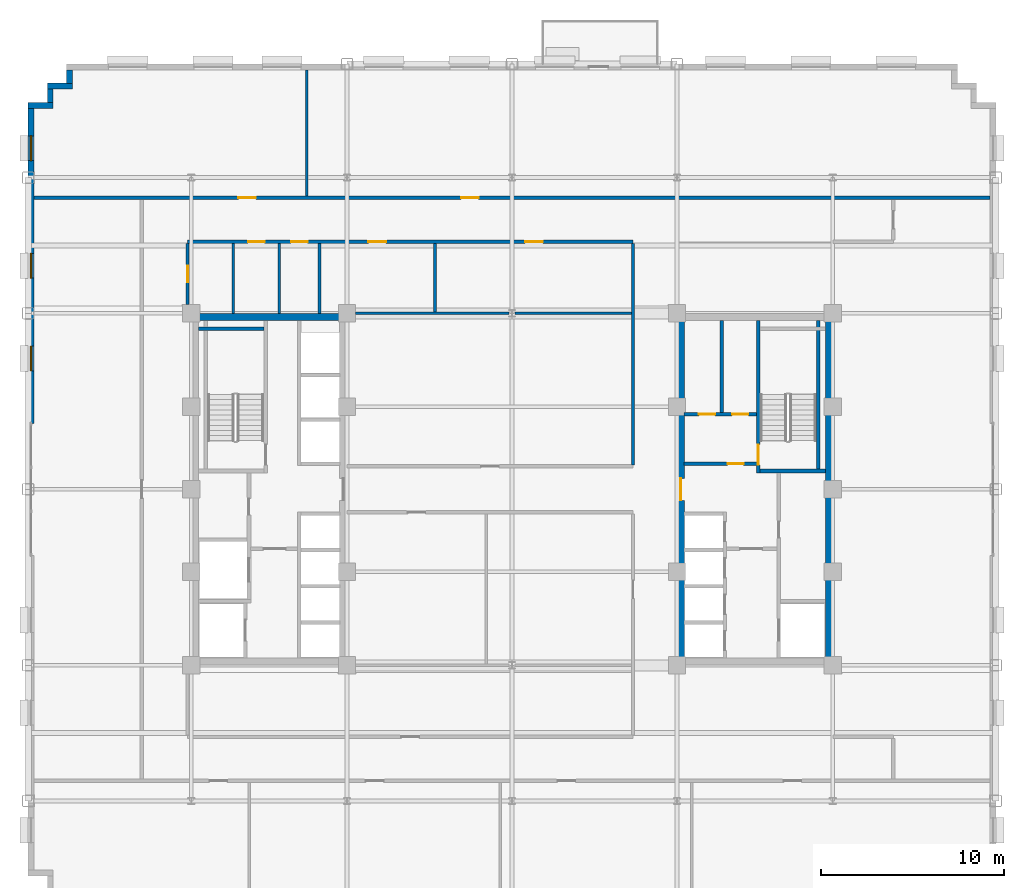
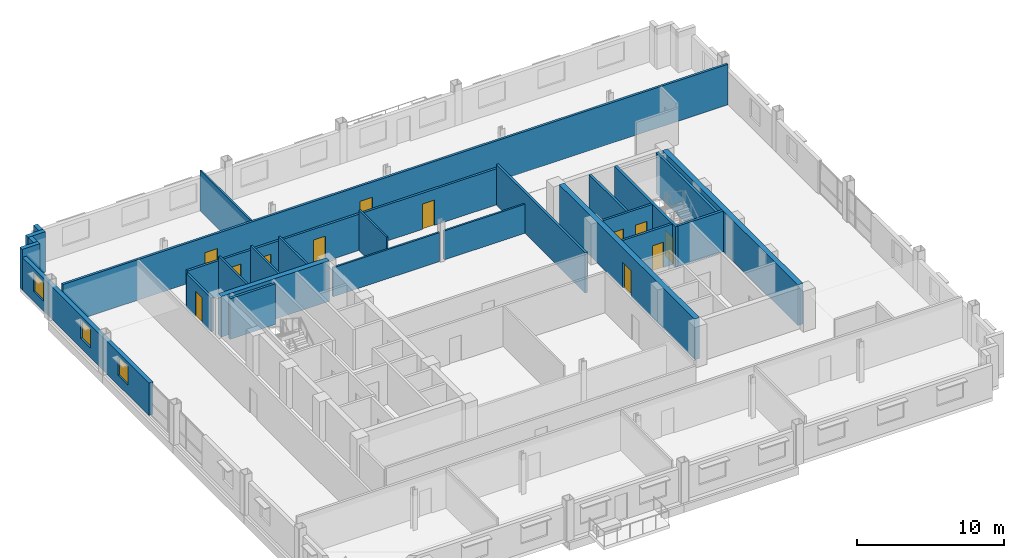
# One storey, part 8 of 15: 26 walls, 12 doors, 3 windows, 15 openings.
"""IFC4 building model written with IfcOpenShell, lengths in metres."""

from ifc_helpers import new_model, si_unit, direction, frame, frame_2d, origin, place, context, subcontext, project, spatial, rectangle, extrude, source, transform, mapped, material, layer, layer_set, type_object, type_shapes, element, fill, save


model = new_model("IFC4")

# Units and contexts
model_context = context("Model", 3, precision=1e-05, world=origin(), true_north=direction((0.0, 1.0)))
body_context = subcontext(model_context, "Body", "Model", "MODEL_VIEW")
ifc_project = project(units=[si_unit("LENGTHUNIT", "METRE"), si_unit("AREAUNIT", "SQUARE_METRE"), si_unit("VOLUMEUNIT", "CUBIC_METRE"), si_unit("PLANEANGLEUNIT", "RADIAN"), si_unit("MASSUNIT", "GRAM", prefix="KILO")], contexts=[model_context])

# Site, building, storey
site_placement = place(None, origin())
site = spatial("IfcSite", under=ifc_project, at=site_placement, CompositionType="ELEMENT")
building_placement = place(site_placement, origin())
building = spatial("IfcBuilding", under=site, at=building_placement, Name="Nuvemarco Arch Tower", CompositionType="ELEMENT")
storey_placement = place(building_placement, frame((0.0, 0.0, 123.85009765625)))
storey = spatial("IfcBuildingStorey", under=building, at=storey_placement, Name="L32", CompositionType="ELEMENT", Elevation=123.85009765625)

# Walls
ifc_material_1 = material(Name="Precast concrete C45/55", Category="concrete")
ifc_layer_1 = layer(ifc_material_1, 0.320068359375, Name="EW-MID-320")
ifc_layer_set_1 = layer_set([ifc_layer_1], Name="Precast concrete C45/55")
wall_type_1 = type_object("IfcWallType", Name="EW-MID-320", PredefinedType="STANDARD", material=ifc_layer_set_1)
wall_1_placement = place(storey_placement, frame((-24.139892578125, 22.14599609375, 0.0), z_axis=(0.0, 0.0, 1.0), x_axis=(0.0, 1.0, 0.0)))
element("IfcWall", 1, at=wall_1_placement, inside=storey, type_object=wall_type_1, Name="L32 exterior precast facade wall 12", PredefinedType="STANDARD", context=body_context, shape_type="SweptSolid", body=[
    extrude(rectangle(XDim=0.738037109375, YDim=0.320068359375, at=frame_2d((0.369140625, 0.0))), origin(), (0.0, 0.0, 1.0), 3.35986328125),
])
wall_2_placement = place(storey_placement, frame((-25.35009765625, 21.989990234375, 0.0), z_axis=(0.0, 0.0, 1.0), x_axis=(1.0, 0.0, 0.0)))
element("IfcWall", 2, at=wall_2_placement, inside=storey, type_object=wall_type_1, Name="L32 exterior precast facade wall 13", PredefinedType="STANDARD", context=body_context, shape_type="SweptSolid", body=[
    extrude(rectangle(XDim=1.3701171875, YDim=0.320068359375, at=frame_2d((0.68505859375, 0.0))), origin(), (0.0, 0.0, 1.0), 3.35986328125),
])
wall_3_placement = place(storey_placement, frame((-25.18994140625, 21.095947265625, 0.0), z_axis=(0.0, 0.0, 1.0), x_axis=(0.0, 1.0, 0.0)))
element("IfcWall", 3, at=wall_3_placement, inside=storey, type_object=wall_type_1, Name="L32 exterior precast facade wall 14", PredefinedType="STANDARD", context=body_context, shape_type="SweptSolid", body=[
    extrude(rectangle(XDim=0.738037109375, YDim=0.320068359375, at=frame_2d((0.369140625, 0.0))), origin(), (0.0, 0.0, 1.0), 3.35986328125),
])
wall_4_placement = place(storey_placement, frame((-26.39990234375, 20.93994140625, 0.0), z_axis=(0.0, 0.0, 1.0), x_axis=(1.0, 0.0, 0.0)))
element("IfcWall", 4, at=wall_4_placement, inside=storey, type_object=wall_type_1, Name="L32 exterior precast facade wall 15", PredefinedType="STANDARD", context=body_context, shape_type="SweptSolid", body=[
    extrude(rectangle(XDim=1.369873046875, YDim=0.320068359375, at=frame_2d((0.68505859375, 0.0))), origin(), (0.0, 0.0, 1.0), 3.35986328125),
])

# Wall, openings, windows
wall_5_placement = place(storey_placement, frame((-26.239990234375, 3.60009765625, 0.0), z_axis=(0.0, 0.0, 1.0), x_axis=(0.0, 1.0, 0.0)))
wall_5 = element("IfcWall", 5, at=wall_5_placement, inside=storey, type_object=wall_type_1, Name="L32 exterior precast pier wall west right", PredefinedType="STANDARD", context=body_context, shape_type="SweptSolid", body=[
    extrude(rectangle(XDim=17.183837890625, YDim=0.320068359375, at=frame_2d((8.591796875, 0.0))), origin(), (0.0, 0.0, 1.0), 2.704833984375),
])
opening_1_placement = place(wall_5_placement, frame((2.855712890625, 0.0, 0.800048828125)))
opening_1 = element("IfcOpeningElement", 6, at=opening_1_placement, cuts=wall_5, Name="Opening WN-6", PredefinedType="OPENING", context=body_context, shape_type="SweptSolid", body=[
    extrude(rectangle(XDim=1.35009765625, YDim=1.56005859375, at=frame_2d((0.675048828125, 0.780029296875))), frame((0.0, 0.169921875, 0.0), z_axis=(0.0, -1.0, 0.0), x_axis=(1.0, 0.0, 0.0)), (0.0, 0.0, 1.0), 0.340087890625),
])
opening_2_placement = place(wall_5_placement, frame((7.9169921875, 0.0, 0.800048828125)))
opening_2 = element("IfcOpeningElement", 7, at=opening_2_placement, cuts=wall_5, Name="Opening WN-6", PredefinedType="OPENING", context=body_context, shape_type="SweptSolid", body=[
    extrude(rectangle(XDim=1.35009765625, YDim=1.56005859375, at=frame_2d((0.675048828125, 0.780029296875))), frame((0.0, 0.169921875, 0.0), z_axis=(0.0, -1.0, 0.0), x_axis=(1.0, 0.0, 0.0)), (0.0, 0.0, 1.0), 0.340087890625),
])
opening_3_placement = place(wall_5_placement, frame((14.328369140625, 0.0, 0.800048828125)))
opening_3 = element("IfcOpeningElement", 8, at=opening_3_placement, cuts=wall_5, Name="Opening WN-6", PredefinedType="OPENING", context=body_context, shape_type="SweptSolid", body=[
    extrude(rectangle(XDim=1.35009765625, YDim=1.56005859375, at=frame_2d((0.675048828125, 0.780029296875))), frame((0.0, 0.169921875, 0.0), z_axis=(0.0, -1.0, 0.0), x_axis=(1.0, 0.0, 0.0)), (0.0, 0.0, 1.0), 0.340087890625),
])
ifc_material_2 = material(Name="Insulated solar-control glass", Category="glass")
window_type = type_object("IfcWindowType", Name="WN-MID-1350x1560", PartitioningType="SINGLE_PANEL", PredefinedType="WINDOW", material=ifc_material_2)
shared_shape_1 = source(origin(), body_context, "Body", "SweptSolid", [
    extrude(rectangle(XDim=1.35009765625, YDim=1.56005859375, at=frame_2d((0.675048828125, 0.780029296875))), frame((0.0, 0.030029296875, 0.0), z_axis=(0.0, -1.0, 0.0), x_axis=(1.0, 0.0, 0.0)), (0.0, 0.0, 1.0), 0.06005859375),
])
type_shapes(window_type, [shared_shape_1])
window_1_placement = place(opening_1_placement, origin())
window_1 = element("IfcWindow", 9, at=window_1_placement, inside=storey, type_object=window_type, Name="L32 punched facade window 1", OverallHeight=1.56005859375, OverallWidth=1.35009765625, PartitioningType="SINGLE_PANEL", PredefinedType="WINDOW", context=body_context, shape_type="MappedRepresentation", body=[
    mapped(shared_shape_1, transform((0.0, 0.0, 0.0), scale=1.0)),
])
fill(opening_1, window_1)
window_2_placement = place(opening_2_placement, origin())
window_2 = element("IfcWindow", 10, at=window_2_placement, inside=storey, type_object=window_type, Name="L32 punched facade window 2", OverallHeight=1.56005859375, OverallWidth=1.35009765625, PartitioningType="SINGLE_PANEL", PredefinedType="WINDOW", context=body_context, shape_type="MappedRepresentation", body=[
    mapped(shared_shape_1, transform((0.0, 0.0, 0.0), scale=1.0)),
])
fill(opening_2, window_2)
window_3_placement = place(opening_3_placement, origin())
window_3 = element("IfcWindow", 11, at=window_3_placement, inside=storey, type_object=window_type, Name="L32 punched facade window 3", OverallHeight=1.56005859375, OverallWidth=1.35009765625, PartitioningType="SINGLE_PANEL", PredefinedType="WINDOW", context=body_context, shape_type="MappedRepresentation", body=[
    mapped(shared_shape_1, transform((0.0, 0.0, 0.0), scale=1.0)),
])
fill(opening_3, window_3)

# Wall
ifc_material_3 = material(Name="Concrete C60/75", Category="concrete")
ifc_layer_2 = layer(ifc_material_3, 0.39990234375, Name="WL-CORE-400")
ifc_layer_set_2 = layer_set([ifc_layer_2], Name="Concrete C60/75")
wall_type_2 = type_object("IfcWallType", Name="WL-CORE-400", PredefinedType="SHEAR", material=ifc_layer_set_2)
wall_6_placement = place(storey_placement, frame((-17.5, 9.39990234375, 0.0), z_axis=(0.0, 0.0, 1.0), x_axis=(1.0, 0.0, 0.0)))
element("IfcWall", 12, at=wall_6_placement, inside=storey, type_object=wall_type_2, Name="L32 W-core shear wall N", PredefinedType="SHEAR", context=body_context, shape_type="SweptSolid", body=[
    extrude(rectangle(XDim=8.5, YDim=0.39990234375, at=frame_2d((4.25, 0.0))), origin(), (0.0, 0.0, 1.0), 3.369873046875),
])

# Wall, opening, door
wall_7_placement = place(storey_placement, frame((9.199951171875, -9.205078125, 0.0), z_axis=(0.0, 0.0, 1.0), x_axis=(0.0, 1.0, 0.0)))
wall_7 = element("IfcWall", 13, at=wall_7_placement, inside=storey, type_object=wall_type_2, Name="L32 E-core shear wall W", PredefinedType="SHEAR", context=body_context, shape_type="SweptSolid", body=[
    extrude(rectangle(XDim=18.41015625, YDim=0.39990234375, at=frame_2d((9.205078125, 0.0))), origin(), (0.0, 0.0, 1.0), 3.369873046875),
])
opening_4_placement = place(wall_7_placement, frame((8.60498046875, 0.0, 0.0)))
opening_4 = element("IfcOpeningElement", 14, at=opening_4_placement, cuts=wall_7, Name="Opening FD-2", PredefinedType="OPENING", context=body_context, shape_type="SweptSolid", body=[
    extrude(rectangle(XDim=1.199951171875, YDim=2.14990234375, at=frame_2d((0.60009765625, 1.074951171875))), frame((0.0, 0.2099609375, 0.0), z_axis=(0.0, -1.0, 0.0), x_axis=(1.0, 0.0, 0.0)), (0.0, 0.0, 1.0), 0.419921875),
])
ifc_material_4 = material(Name="Anodised steel fire door", Category="steel")
door_type_1 = type_object("IfcDoorType", Name="DR-FFLOB-FD", OperationType="NOTDEFINED", PredefinedType="DOOR", material=ifc_material_4)
shared_shape_2 = source(origin(), body_context, "Body", "SweptSolid", [
    extrude(rectangle(XDim=1.199951171875, YDim=2.14990234375, at=frame_2d((0.60009765625, 1.074951171875))), frame((0.0, 0.02490234375, 0.0), z_axis=(0.0, -1.0, 0.0), x_axis=(1.0, 0.0, 0.0)), (0.0, 0.0, 1.0), 0.050048828125),
])
type_shapes(door_type_1, [shared_shape_2])
door_1_placement = place(opening_4_placement, origin())
door_1 = element("IfcDoor", 15, at=door_1_placement, inside=storey, type_object=door_type_1, Name="L32 door FD-L32-ECORE-W", OperationType="SINGLE_SWING_LEFT", OverallHeight=2.14990234375, OverallWidth=1.199951171875, PredefinedType="DOOR", context=body_context, shape_type="MappedRepresentation", body=[
    mapped(shared_shape_2, transform((0.0, 0.0, 0.0), scale=1.0)),
])
fill(opening_4, door_1)

# Wall
wall_8_placement = place(storey_placement, frame((17.300048828125, -9.205078125, 0.0), z_axis=(0.0, 0.0, 1.0), x_axis=(0.0, 1.0, 0.0)))
element("IfcWall", 16, at=wall_8_placement, inside=storey, type_object=wall_type_2, Name="L32 E-core shear wall E", PredefinedType="SHEAR", context=body_context, shape_type="SweptSolid", body=[
    extrude(rectangle(XDim=18.41015625, YDim=0.39990234375, at=frame_2d((9.205078125, 0.0))), origin(), (0.0, 0.0, 1.0), 3.369873046875),
])

# Wall, opening, door
ifc_material_5 = material(Name="Fire-rated gypsum drywall partition")
ifc_layer_3 = layer(ifc_material_5, 0.179931640625, Name="WL-CORR-180")
ifc_layer_set_3 = layer_set([ifc_layer_3], Name="Fire-rated gypsum drywall partition")
wall_type_3 = type_object("IfcWallType", Name="WL-CORR-180", PredefinedType="PARTITIONING", material=ifc_layer_set_3)
wall_9_placement = place(storey_placement, frame((9.39501953125, 1.39990234375, 0.0), z_axis=(0.0, 0.0, 1.0), x_axis=(1.0, 0.0, 0.0)))
wall_9 = element("IfcWall", 17, at=wall_9_placement, inside=storey, type_object=wall_type_3, Name="L32 interior wall IW-L32-EK-S", PredefinedType="PARTITIONING", context=body_context, shape_type="SweptSolid", body=[
    extrude(rectangle(XDim=3.949951171875, YDim=0.179931640625, at=frame_2d((1.97509765625, 0.0))), origin(), (0.0, 0.0, 1.0), 3.35986328125),
])
opening_5_placement = place(wall_9_placement, frame((2.364990234375, 0.0, 0.0)))
opening_5 = element("IfcOpeningElement", 18, at=opening_5_placement, cuts=wall_9, Name="Opening FD-4", PredefinedType="OPENING", context=body_context, shape_type="SweptSolid", body=[
    extrude(rectangle(XDim=0.8798828125, YDim=2.10009765625, at=frame_2d((0.43994140625, 1.050048828125))), frame((0.0, 0.099853515625, 0.0), z_axis=(0.0, -1.0, 0.0), x_axis=(1.0, 0.0, 0.0)), (0.0, 0.0, 1.0), 0.199951171875),
])
door_type_2 = type_object("IfcDoorType", Name="DR-RISER-FD", OperationType="NOTDEFINED", PredefinedType="DOOR", material=ifc_material_4)
shared_shape_3 = source(origin(), body_context, "Body", "SweptSolid", [
    extrude(rectangle(XDim=0.8798828125, YDim=2.10009765625, at=frame_2d((0.43994140625, 1.050048828125))), frame((0.0, 0.02490234375, 0.0), z_axis=(0.0, -1.0, 0.0), x_axis=(1.0, 0.0, 0.0)), (0.0, 0.0, 1.0), 0.050048828125),
])
type_shapes(door_type_2, [shared_shape_3])
door_2_placement = place(opening_5_placement, origin())
door_2 = element("IfcDoor", 19, at=door_2_placement, inside=storey, type_object=door_type_2, Name="L32 door FD-L32-EK3A", OperationType="SINGLE_SWING_RIGHT", OverallHeight=2.10009765625, OverallWidth=0.8798828125, PredefinedType="DOOR", context=body_context, shape_type="MappedRepresentation", body=[
    mapped(shared_shape_3, transform((0.0, 0.0, 0.0), scale=1.0)),
])
fill(opening_5, door_2)

# Wall, openings, doors
wall_10_placement = place(storey_placement, frame((9.39501953125, 4.10009765625, 0.0), z_axis=(0.0, 0.0, 1.0), x_axis=(1.0, 0.0, 0.0)))
wall_10 = element("IfcWall", 20, at=wall_10_placement, inside=storey, type_object=wall_type_3, Name="L32 interior wall IW-L32-EK3H", PredefinedType="PARTITIONING", context=body_context, shape_type="SweptSolid", body=[
    extrude(rectangle(XDim=3.949951171875, YDim=0.179931640625, at=frame_2d((1.97509765625, 0.0))), origin(), (0.0, 0.0, 1.0), 3.35986328125),
])
opening_6_placement = place(wall_10_placement, frame((0.800048828125, 0.0, 0.0)))
opening_6 = element("IfcOpeningElement", 21, at=opening_6_placement, cuts=wall_10, Name="Opening FD-4", PredefinedType="OPENING", context=body_context, shape_type="SweptSolid", body=[
    extrude(rectangle(XDim=0.8798828125, YDim=2.10009765625, at=frame_2d((0.43994140625, 1.050048828125))), frame((0.0, 0.099853515625, 0.0), z_axis=(0.0, -1.0, 0.0), x_axis=(1.0, 0.0, 0.0)), (0.0, 0.0, 1.0), 0.199951171875),
])
opening_7_placement = place(wall_10_placement, frame((2.614990234375, 0.0, 0.0)))
opening_7 = element("IfcOpeningElement", 22, at=opening_7_placement, cuts=wall_10, Name="Opening FD-4", PredefinedType="OPENING", context=body_context, shape_type="SweptSolid", body=[
    extrude(rectangle(XDim=0.8798828125, YDim=2.10009765625, at=frame_2d((0.43994140625, 1.050048828125))), frame((0.0, 0.099853515625, 0.0), z_axis=(0.0, -1.0, 0.0), x_axis=(1.0, 0.0, 0.0)), (0.0, 0.0, 1.0), 0.199951171875),
])
door_3_placement = place(opening_6_placement, origin())
door_3 = element("IfcDoor", 23, at=door_3_placement, inside=storey, type_object=door_type_2, Name="L32 door FD-L32-EK3B", OperationType="SINGLE_SWING_LEFT", OverallHeight=2.10009765625, OverallWidth=0.8798828125, PredefinedType="DOOR", context=body_context, shape_type="MappedRepresentation", body=[
    mapped(shared_shape_3, transform((0.0, 0.0, 0.0), scale=1.0)),
])
fill(opening_6, door_3)
door_4_placement = place(opening_7_placement, origin())
door_4 = element("IfcDoor", 24, at=door_4_placement, inside=storey, type_object=door_type_2, Name="L32 door FD-L32-EK3C", OperationType="SINGLE_SWING_RIGHT", OverallHeight=2.10009765625, OverallWidth=0.8798828125, PredefinedType="DOOR", context=body_context, shape_type="MappedRepresentation", body=[
    mapped(shared_shape_3, transform((0.0, 0.0, 0.0), scale=1.0)),
])
fill(opening_7, door_4)

# Wall
wall_11_placement = place(storey_placement, frame((11.449951171875, 4.18994140625, 0.0), z_axis=(0.0, 0.0, 1.0), x_axis=(0.0, 1.0, 0.0)))
element("IfcWall", 25, at=wall_11_placement, inside=storey, type_object=wall_type_3, Name="L32 interior wall IW-L32-EK3V", PredefinedType="PARTITIONING", context=body_context, shape_type="SweptSolid", body=[
    extrude(rectangle(XDim=5.01513671875, YDim=0.179931640625, at=frame_2d((2.507568359375, 0.0))), origin(), (0.0, 0.0, 1.0), 3.35986328125),
])

# Wall, openings, doors
wall_12_placement = place(storey_placement, frame((-17.699951171875, 13.5, 0.0), z_axis=(0.0, 0.0, 1.0), x_axis=(1.0, 0.0, 0.0)))
wall_12 = element("IfcWall", 26, at=wall_12_placement, inside=storey, type_object=wall_type_3, Name="L32 interior wall IW-L32-010", PredefinedType="PARTITIONING", context=body_context, shape_type="SweptSolid", body=[
    extrude(rectangle(XDim=24.300048828125, YDim=0.179931640625, at=frame_2d((12.14990234375, 0.0))), origin(), (0.0, 0.0, 1.0), 2.997802734375),
])
opening_8_placement = place(wall_12_placement, frame((18.419921875, 0.0, 0.0)))
opening_8 = element("IfcOpeningElement", 27, at=opening_8_placement, cuts=wall_12, Name="Opening FD-5", PredefinedType="OPENING", context=body_context, shape_type="SweptSolid", body=[
    extrude(rectangle(XDim=0.9599609375, YDim=2.10009765625, at=frame_2d((0.47998046875, 1.050048828125))), frame((0.0, 0.099853515625, 0.0), z_axis=(0.0, -1.0, 0.0), x_axis=(1.0, 0.0, 0.0)), (0.0, 0.0, 1.0), 0.199951171875),
])
opening_9_placement = place(wall_12_placement, frame((9.8701171875, 0.0, 0.0)))
opening_9 = element("IfcOpeningElement", 28, at=opening_9_placement, cuts=wall_12, Name="Opening FD-5", PredefinedType="OPENING", context=body_context, shape_type="SweptSolid", body=[
    extrude(rectangle(XDim=0.9599609375, YDim=2.10009765625, at=frame_2d((0.47998046875, 1.050048828125))), frame((0.0, 0.099853515625, 0.0), z_axis=(0.0, -1.0, 0.0), x_axis=(1.0, 0.0, 0.0)), (0.0, 0.0, 1.0), 0.199951171875),
])
opening_10_placement = place(wall_12_placement, frame((3.300048828125, 0.0, 0.0)))
opening_10 = element("IfcOpeningElement", 29, at=opening_10_placement, cuts=wall_12, Name="Opening ID-3", PredefinedType="OPENING", context=body_context, shape_type="SweptSolid", body=[
    extrude(rectangle(XDim=0.89990234375, YDim=2.10009765625, at=frame_2d((0.449951171875, 1.050048828125))), frame((0.0, 0.099853515625, 0.0), z_axis=(0.0, -1.0, 0.0), x_axis=(1.0, 0.0, 0.0)), (0.0, 0.0, 1.0), 0.199951171875),
])
opening_11_placement = place(wall_12_placement, frame((5.64990234375, 0.0, 0.0)))
opening_11 = element("IfcOpeningElement", 30, at=opening_11_placement, cuts=wall_12, Name="Opening ID-3", PredefinedType="OPENING", context=body_context, shape_type="SweptSolid", body=[
    extrude(rectangle(XDim=0.89990234375, YDim=2.10009765625, at=frame_2d((0.449951171875, 1.050048828125))), frame((0.0, 0.099853515625, 0.0), z_axis=(0.0, -1.0, 0.0), x_axis=(1.0, 0.0, 0.0)), (0.0, 0.0, 1.0), 0.199951171875),
])
ifc_material_6 = material(Name="Timber fire door", Category="wood")
door_type_3 = type_object("IfcDoorType", Name="DR-CORR-FD", OperationType="NOTDEFINED", PredefinedType="DOOR", material=ifc_material_6)
shared_shape_4 = source(origin(), body_context, "Body", "SweptSolid", [
    extrude(rectangle(XDim=0.9599609375, YDim=2.10009765625, at=frame_2d((0.47998046875, 1.050048828125))), frame((0.0, 0.02490234375, 0.0), z_axis=(0.0, -1.0, 0.0), x_axis=(1.0, 0.0, 0.0)), (0.0, 0.0, 1.0), 0.050048828125),
])
type_shapes(door_type_3, [shared_shape_4])
door_5_placement = place(opening_8_placement, origin())
door_5 = element("IfcDoor", 31, at=door_5_placement, inside=storey, type_object=door_type_3, Name="L32 door DR-L32-IN_N2", OperationType="SINGLE_SWING_LEFT", OverallHeight=2.10009765625, OverallWidth=0.9599609375, PredefinedType="DOOR", context=body_context, shape_type="MappedRepresentation", body=[
    mapped(shared_shape_4, transform((0.0, 0.0, 0.0), scale=1.0)),
])
fill(opening_8, door_5)
door_6_placement = place(opening_9_placement, origin())
door_6 = element("IfcDoor", 32, at=door_6_placement, inside=storey, type_object=door_type_3, Name="L32 door DR-L32-IN_N1", OperationType="SINGLE_SWING_RIGHT", OverallHeight=2.10009765625, OverallWidth=0.9599609375, PredefinedType="DOOR", context=body_context, shape_type="MappedRepresentation", body=[
    mapped(shared_shape_4, transform((0.0, 0.0, 0.0), scale=1.0)),
])
fill(opening_9, door_6)
ifc_material_7 = material(Name="Veneered oak timber fire door", Category="wood")
door_type_4 = type_object("IfcDoorType", Name="DR-WC-ACC", OperationType="NOTDEFINED", PredefinedType="DOOR", material=ifc_material_7)
shared_shape_5 = source(origin(), body_context, "Body", "SweptSolid", [
    extrude(rectangle(XDim=0.89990234375, YDim=2.10009765625, at=frame_2d((0.449951171875, 1.050048828125))), frame((0.0, 0.02490234375, 0.0), z_axis=(0.0, -1.0, 0.0), x_axis=(1.0, 0.0, 0.0)), (0.0, 0.0, 1.0), 0.050048828125),
])
type_shapes(door_type_4, [shared_shape_5])
door_7_placement = place(opening_10_placement, origin())
door_7 = element("IfcDoor", 33, at=door_7_placement, inside=storey, type_object=door_type_4, Name="L32 door DR-L32-WC_F", OperationType="SINGLE_SWING_LEFT", OverallHeight=2.10009765625, OverallWidth=0.89990234375, PredefinedType="DOOR", context=body_context, shape_type="MappedRepresentation", body=[
    mapped(shared_shape_5, transform((0.0, 0.0, 0.0), scale=1.0)),
])
fill(opening_10, door_7)
door_8_placement = place(opening_11_placement, origin())
door_8 = element("IfcDoor", 34, at=door_8_placement, inside=storey, type_object=door_type_4, Name="L32 door DR-L32-WC_ACC", OperationType="SINGLE_SWING_LEFT", OverallHeight=2.10009765625, OverallWidth=0.89990234375, PredefinedType="DOOR", context=body_context, shape_type="MappedRepresentation", body=[
    mapped(shared_shape_5, transform((0.0, 0.0, 0.0), scale=1.0)),
])
fill(opening_11, door_8)

wall_13_placement = place(storey_placement, frame((-26.080078125, 15.89990234375, 0.0), z_axis=(0.0, 0.0, 1.0), x_axis=(1.0, 0.0, 0.0)))
wall_13 = element("IfcWall", 35, at=wall_13_placement, inside=storey, type_object=wall_type_3, Name="L32 interior wall IW-L32-012", PredefinedType="PARTITIONING", context=body_context, shape_type="SweptSolid", body=[
    extrude(rectangle(XDim=52.16015625, YDim=0.179931640625, at=frame_2d((26.080078125, 0.0))), origin(), (0.0, 0.0, 1.0), 3.35986328125),
])
opening_12_placement = place(wall_13_placement, frame((23.300048828125, 0.0, 0.0)))
opening_12 = element("IfcOpeningElement", 36, at=opening_12_placement, cuts=wall_13, Name="Opening FD-5", PredefinedType="OPENING", context=body_context, shape_type="SweptSolid", body=[
    extrude(rectangle(XDim=0.9599609375, YDim=2.10009765625, at=frame_2d((0.47998046875, 1.050048828125))), frame((0.0, 0.099853515625, 0.0), z_axis=(0.0, -1.0, 0.0), x_axis=(1.0, 0.0, 0.0)), (0.0, 0.0, 1.0), 0.199951171875),
])
opening_13_placement = place(wall_13_placement, frame((11.14990234375, 0.0, 0.0)))
opening_13 = element("IfcOpeningElement", 37, at=opening_13_placement, cuts=wall_13, Name="Opening FD-5", PredefinedType="OPENING", context=body_context, shape_type="SweptSolid", body=[
    extrude(rectangle(XDim=0.9599609375, YDim=2.10009765625, at=frame_2d((0.47998046875, 1.050048828125))), frame((0.0, 0.099853515625, 0.0), z_axis=(0.0, -1.0, 0.0), x_axis=(1.0, 0.0, 0.0)), (0.0, 0.0, 1.0), 0.199951171875),
])
door_9_placement = place(opening_12_placement, origin())
door_9 = element("IfcDoor", 38, at=door_9_placement, inside=storey, type_object=door_type_3, Name="L32 door DR-L32-N_2", OperationType="SINGLE_SWING_LEFT", OverallHeight=2.10009765625, OverallWidth=0.9599609375, PredefinedType="DOOR", context=body_context, shape_type="MappedRepresentation", body=[
    mapped(shared_shape_4, transform((0.0, 0.0, 0.0), scale=1.0)),
])
fill(opening_12, door_9)
door_10_placement = place(opening_13_placement, origin())
door_10 = element("IfcDoor", 39, at=door_10_placement, inside=storey, type_object=door_type_3, Name="L32 door DR-L32-N_1", OperationType="SINGLE_SWING_LEFT", OverallHeight=2.10009765625, OverallWidth=0.9599609375, PredefinedType="DOOR", context=body_context, shape_type="MappedRepresentation", body=[
    mapped(shared_shape_4, transform((0.0, 0.0, 0.0), scale=1.0)),
])
fill(opening_13, door_10)

# Wall, opening, door
wall_14_placement = place(storey_placement, frame((-17.699951171875, 10.071044921875, 0.0), z_axis=(0.0, 0.0, 1.0), x_axis=(0.0, 1.0, 0.0)))
wall_14 = element("IfcWall", 40, at=wall_14_placement, inside=storey, type_object=wall_type_3, Name="L32 interior wall IW-L32-015", PredefinedType="PARTITIONING", context=body_context, shape_type="SweptSolid", body=[
    extrude(rectangle(XDim=3.343017578125, YDim=0.179931640625, at=frame_2d((1.67138671875, 0.0))), origin(), (0.0, 0.0, 1.0), 2.81591796875),
])
opening_14_placement = place(wall_14_placement, frame((1.221435546875, 0.0, 0.0)))
opening_14 = element("IfcOpeningElement", 41, at=opening_14_placement, cuts=wall_14, Name="Opening ID-3", PredefinedType="OPENING", context=body_context, shape_type="SweptSolid", body=[
    extrude(rectangle(XDim=0.89990234375, YDim=2.10009765625, at=frame_2d((0.449951171875, 1.050048828125))), frame((0.0, 0.099853515625, 0.0), z_axis=(0.0, -1.0, 0.0), x_axis=(1.0, 0.0, 0.0)), (0.0, 0.0, 1.0), 0.199951171875),
])
door_11_placement = place(opening_14_placement, origin())
door_11 = element("IfcDoor", 42, at=door_11_placement, inside=storey, type_object=door_type_4, Name="L32 door DR-L32-WC_M", OperationType="SINGLE_SWING_RIGHT", OverallHeight=2.10009765625, OverallWidth=0.89990234375, PredefinedType="DOOR", context=body_context, shape_type="MappedRepresentation", body=[
    mapped(shared_shape_5, transform((0.0, 0.0, 0.0), scale=1.0)),
])
fill(opening_14, door_11)

# Walls
wall_15_placement = place(storey_placement, frame((6.60009765625, 1.3359375, 0.0), z_axis=(0.0, 0.0, 1.0), x_axis=(0.0, 1.0, 0.0)))
element("IfcWall", 43, at=wall_15_placement, inside=storey, type_object=wall_type_3, Name="L32 interior wall IW-L32-025", PredefinedType="PARTITIONING", context=body_context, shape_type="SweptSolid", body=[
    extrude(rectangle(XDim=12.078125, YDim=0.179931640625, at=frame_2d((6.0390625, 0.0))), origin(), (0.0, 0.0, 1.0), 3.35986328125),
])
ifc_material_8 = material(Name="Glazed acoustic office partition")
ifc_layer_4 = layer(ifc_material_8, 0.1298828125, Name="WL-EXEC-130")
ifc_layer_set_4 = layer_set([ifc_layer_4], Name="Glazed acoustic office partition")
wall_type_4 = type_object("IfcWallType", Name="WL-EXEC-130", PredefinedType="PARTITIONING", material=ifc_layer_set_4)
wall_16_placement = place(storey_placement, frame((-11.199951171875, 15.986083984375, 0.0), z_axis=(0.0, 0.0, 1.0), x_axis=(0.0, 1.0, 0.0)))
element("IfcWall", 44, at=wall_16_placement, inside=storey, type_object=wall_type_4, Name="L32 interior wall IW-L32-019", PredefinedType="PARTITIONING", context=body_context, shape_type="SweptSolid", body=[
    extrude(rectangle(XDim=6.893798828125, YDim=0.1298828125, at=frame_2d((3.44677734375, 0.0))), origin(), (0.0, 0.0, 1.0), 3.35986328125),
])
ifc_material_9 = material(Name="Gypsum plasterboard partition")
ifc_layer_5 = layer(ifc_material_9, 0.139892578125, Name="WL-ROOM-140")
ifc_layer_set_5 = layer_set([ifc_layer_5], Name="Gypsum plasterboard partition")
wall_type_5 = type_object("IfcWallType", Name="WL-ROOM-140", PredefinedType="PARTITIONING", material=ifc_layer_set_5)
wall_17_placement = place(storey_placement, frame((-8.529052734375, 9.60009765625, 0.0), z_axis=(0.0, 0.0, 1.0), x_axis=(1.0, 0.0, 0.0)))
element("IfcWall", 45, at=wall_17_placement, inside=storey, type_object=wall_type_5, Name="L32 interior wall IW-L32-008", PredefinedType="PARTITIONING", context=body_context, shape_type="SweptSolid", body=[
    extrude(rectangle(XDim=8.35302734375, YDim=0.139892578125, at=frame_2d((4.176513671875, 0.0))), origin(), (0.0, 0.0, 1.0), 2.40478515625),
])
wall_18_placement = place(storey_placement, frame((0.176025390625, 9.60009765625, 0.0), z_axis=(0.0, 0.0, 1.0), x_axis=(1.0, 0.0, 0.0)))
element("IfcWall", 46, at=wall_18_placement, inside=storey, type_object=wall_type_5, Name="L32 interior wall IW-L32-009", PredefinedType="PARTITIONING", context=body_context, shape_type="SweptSolid", body=[
    extrude(rectangle(XDim=6.337890625, YDim=0.139892578125, at=frame_2d((3.1689453125, 0.0))), origin(), (0.0, 0.0, 1.0), 2.40478515625),
])
wall_19_placement = place(storey_placement, frame((-4.199951171875, 9.666015625, 0.0), z_axis=(0.0, 0.0, 1.0), x_axis=(0.0, 1.0, 0.0)))
element("IfcWall", 47, at=wall_19_placement, inside=storey, type_object=wall_type_5, Name="L32 interior wall IW-L32-021", PredefinedType="PARTITIONING", context=body_context, shape_type="SweptSolid", body=[
    extrude(rectangle(XDim=3.748046875, YDim=0.139892578125, at=frame_2d((1.8740234375, 0.0))), origin(), (0.0, 0.0, 1.0), 3.35986328125),
])
ifc_material_10 = material(Name="Concrete C50/60", Category="concrete")
ifc_layer_6 = layer(ifc_material_10, 0.199951171875, Name="WL-SHAFT-220")
ifc_layer_set_6 = layer_set([ifc_layer_6], Name="Concrete C50/60")
wall_type_6 = type_object("IfcWallType", Name="WL-SHAFT-220", PredefinedType="SHEAR", material=ifc_layer_set_6)
wall_20_placement = place(storey_placement, frame((-17.10498046875, 8.75, 0.0), z_axis=(0.0, 0.0, 1.0), x_axis=(1.0, 0.0, 0.0)))
element("IfcWall", 48, at=wall_20_placement, inside=storey, type_object=wall_type_6, Name="L32 structural shaft wall SW-L32-W-ST1N", PredefinedType="SHEAR", context=body_context, shape_type="SweptSolid", body=[
    extrude(rectangle(XDim=3.570068359375, YDim=0.199951171875, at=frame_2d((1.78515625, 0.0))), origin(), (0.0, 0.0, 1.0), 3.369873046875),
])

# Wall, opening, door
wall_21_placement = place(storey_placement, frame((13.43994140625, 0.89990234375, 0.0), z_axis=(0.0, 0.0, 1.0), x_axis=(0.0, 1.0, 0.0)))
wall_21 = element("IfcWall", 49, at=wall_21_placement, inside=storey, type_object=wall_type_6, Name="L32 structural shaft wall SW-L32-E-ST2W", PredefinedType="SHEAR", context=body_context, shape_type="SweptSolid", body=[
    extrude(rectangle(XDim=8.30517578125, YDim=0.199951171875, at=frame_2d((4.152587890625, 0.0))), origin(), (0.0, 0.0, 1.0), 3.369873046875),
])
opening_15_placement = place(wall_21_placement, frame((0.429931640625, 0.0, 0.0)))
opening_15 = element("IfcOpeningElement", 50, at=opening_15_placement, cuts=wall_21, Name="Opening FD-1", PredefinedType="OPENING", context=body_context, shape_type="SweptSolid", body=[
    extrude(rectangle(XDim=1.10009765625, YDim=2.14990234375, at=frame_2d((0.550048828125, 1.074951171875))), frame((0.0, 0.10986328125, 0.0), z_axis=(0.0, -1.0, 0.0), x_axis=(1.0, 0.0, 0.0)), (0.0, 0.0, 1.0), 0.219970703125),
])
door_type_5 = type_object("IfcDoorType", Name="DR-STAIR-FD", OperationType="NOTDEFINED", PredefinedType="DOOR", material=ifc_material_4)
shared_shape_6 = source(origin(), body_context, "Body", "SweptSolid", [
    extrude(rectangle(XDim=1.10009765625, YDim=2.14990234375, at=frame_2d((0.550048828125, 1.074951171875))), frame((0.0, 0.02490234375, 0.0), z_axis=(0.0, -1.0, 0.0), x_axis=(1.0, 0.0, 0.0)), (0.0, 0.0, 1.0), 0.050048828125),
])
type_shapes(door_type_5, [shared_shape_6])
door_12_placement = place(opening_15_placement, origin())
door_12 = element("IfcDoor", 51, at=door_12_placement, inside=storey, type_object=door_type_5, Name="L32 door FD-L32-ST2", OperationType="SINGLE_SWING_LEFT", OverallHeight=2.14990234375, OverallWidth=1.10009765625, PredefinedType="DOOR", context=body_context, shape_type="MappedRepresentation", body=[
    mapped(shared_shape_6, transform((0.0, 0.0, 0.0), scale=1.0)),
])
fill(opening_15, door_12)

# Walls
wall_22_placement = place(storey_placement, frame((13.534912109375, 1.0, 0.0), z_axis=(0.0, 0.0, 1.0), x_axis=(1.0, 0.0, 0.0)))
element("IfcWall", 52, at=wall_22_placement, inside=storey, type_object=wall_type_6, Name="L32 structural shaft wall SW-L32-E-ST2S", PredefinedType="SHEAR", context=body_context, shape_type="SweptSolid", body=[
    extrude(rectangle(XDim=3.570068359375, YDim=0.199951171875, at=frame_2d((1.78515625, 0.0))), origin(), (0.0, 0.0, 1.0), 3.369873046875),
])
wall_23_placement = place(storey_placement, frame((16.699951171875, 1.094970703125, 0.0), z_axis=(0.0, 0.0, 1.0), x_axis=(0.0, 1.0, 0.0)))
element("IfcWall", 53, at=wall_23_placement, inside=storey, type_object=wall_type_6, Name="L32 structural shaft wall SW-L32-E-ST2E", PredefinedType="SHEAR", context=body_context, shape_type="SweptSolid", body=[
    extrude(rectangle(XDim=8.110107421875, YDim=0.199951171875, at=frame_2d((4.05517578125, 0.0))), origin(), (0.0, 0.0, 1.0), 3.369873046875),
])
ifc_material_11 = material(Name="Moisture-resistant gypsum partition")
ifc_layer_7 = layer(ifc_material_11, 0.14990234375, Name="WL-WET-150")
ifc_layer_set_7 = layer_set([ifc_layer_7], Name="Moisture-resistant gypsum partition")
wall_type_7 = type_object("IfcWallType", Name="WL-WET-150", PredefinedType="PARTITIONING", material=ifc_layer_set_7)
for number, where, z_axis, x_axis, name in (
    (54, (-15.199951171875, 9.60009765625, 0.0), (0.0, 0.0, 1.0), (0.0, 1.0, 0.0), "L32 interior wall IW-L32-016"),
    (55, (-12.699951171875, 9.60009765625, 0.0), (0.0, 0.0, 1.0), (0.0, 1.0, 0.0), "L32 interior wall IW-L32-018"),
    (56, (-10.5, 9.60009765625, 0.0), (0.0, 0.0, 1.0), (0.0, 1.0, 0.0), "L32 interior wall IW-L32-020"),
):
    element("IfcWall", number, at=place(storey_placement, frame(where, z_axis=z_axis, x_axis=x_axis)), inside=storey, type_object=wall_type_7, Name=name, PredefinedType="PARTITIONING", context=body_context, shape_type="SweptSolid", body=[
        extrude(rectangle(XDim=3.81396484375, YDim=0.14990234375, at=frame_2d((1.906982421875, 0.0))), origin(), (0.0, 0.0, 1.0), 3.35986328125),
    ])

save(model, "model.ifc")
